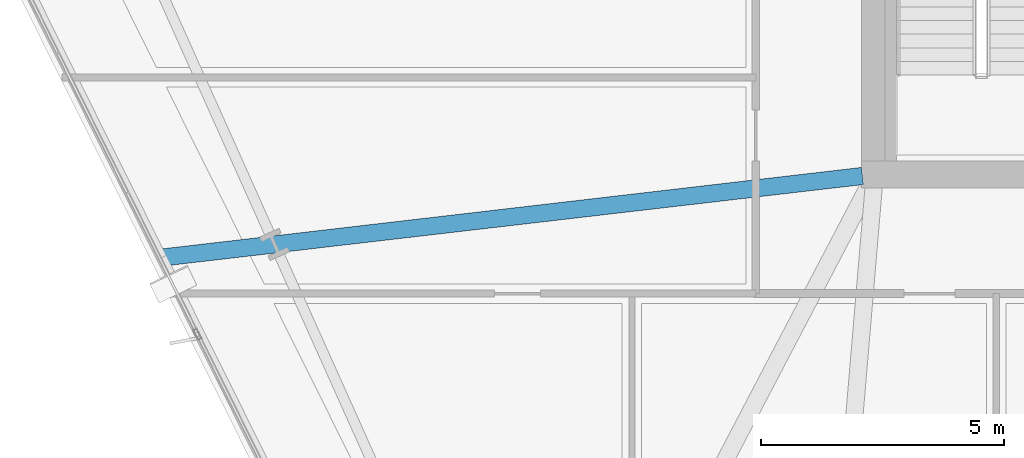
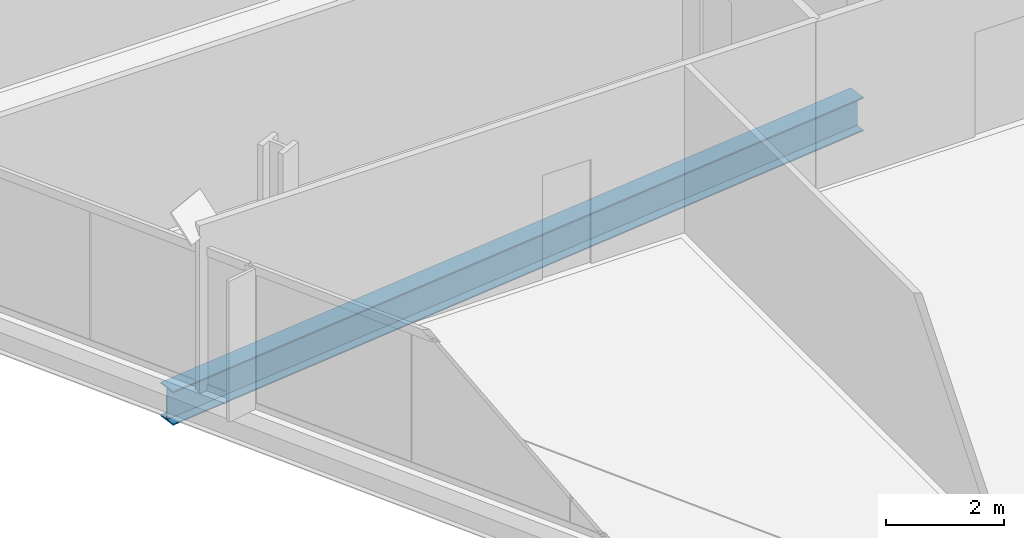
# One storey, part 6 of 35: 1 beam.
"""IFC4 building model written with IfcOpenShell, lengths in metres."""

import ifcopenshell
import ifcopenshell.guid

model = None  # the IFC model being written
_history = None  # IfcOwnerHistory: only IFC2X3 demands one
_inside = {}  # id of a spatial element -> (the spatial element, [elements in it])
_under = {}  # id of a project, library or spatial element -> (it, [spatial elements below it])
_declared = {}  # id of a project -> (the project, [libraries it declares])
_typed = {}  # id of a type object -> (the type object, [elements of that type])
_made_of = {}  # id of a material, layer set ... -> (it, [elements and type objects made of it])


def new_model(schema):
    """Start an empty IFC model of exactly this schema.

    Asked for "IFC4X3", IfcOpenShell would pick the latest addendum, in which some entities
    have other attributes; the version numbers below select the first issue.
    IFC2X3 requires an IfcOwnerHistory on every rooted entity: one is made here for all.
    """
    global model, _history
    if schema == "IFC4X3":
        model = ifcopenshell.file(schema_version=(4, 3, 0, 0))
    else:
        model = ifcopenshell.file(schema=schema)
    _inside.clear()
    _under.clear()
    _declared.clear()
    _typed.clear()
    _made_of.clear()
    _history = None
    if model.schema == "IFC2X3":
        org = make("IfcOrganization", Name="unknown")
        user = make(
            "IfcPersonAndOrganization",
            ThePerson=make("IfcPerson", FamilyName="unknown"),
            TheOrganization=org,
        )
        app = make(
            "IfcApplication",
            ApplicationDeveloper=org,
            Version="unknown",
            ApplicationFullName="unknown",
            ApplicationIdentifier="unknown",
        )
        _history = make(
            "IfcOwnerHistory",
            OwningUser=user,
            OwningApplication=app,
            ChangeAction="ADDED",
            CreationDate=0,
        )
    return model


def make(cls, **values):
    """One entity of the class cls with the attributes given. An attribute that is None is left unset."""
    return model.create_entity(
        cls, **{name: value for name, value in values.items() if value is not None}
    )


def rooted(cls, **values):
    """An entity with a GlobalId (a new one), such as an element, a storey or a relation."""
    return make(cls, GlobalId=ifcopenshell.guid.new(), OwnerHistory=_history, **values)


def si_unit(unit_type, name, prefix=None):
    """IfcSIUnit, for example si_unit("LENGTHUNIT", "METRE", prefix="MILLI")."""
    return make("IfcSIUnit", UnitType=unit_type, Prefix=prefix, Name=name)


def assignment(units):
    """IfcUnitAssignment: the units of a project."""
    return None if units is None else make("IfcUnitAssignment", Units=units)


def point(xyz):
    """IfcCartesianPoint."""
    return None if xyz is None else make("IfcCartesianPoint", Coordinates=xyz)


def direction(xyz):
    """IfcDirection."""
    return None if xyz is None else make("IfcDirection", DirectionRatios=xyz)


def frame(location, z_axis=None, x_axis=None):
    """IfcAxis2Placement3D, a coordinate frame: its origin and axes. An axis left out is left unset."""
    return make(
        "IfcAxis2Placement3D",
        Location=point(location),
        Axis=direction(z_axis),
        RefDirection=direction(x_axis),
    )


def frame_2d(location, x_axis=None):
    """IfcAxis2Placement2D, a coordinate frame in the plane: its origin and x axis."""
    return make(
        "IfcAxis2Placement2D", Location=point(location), RefDirection=direction(x_axis)
    )


def origin():
    """The frame at (0, 0, 0) with its axes left unset."""
    return frame((0.0, 0.0, 0.0))


def origin_2d():
    """The frame at (0, 0) in the plane with its x axis left unset."""
    return frame_2d((0.0, 0.0))


def place(relative_to, where):
    """IfcLocalPlacement: puts the frame where relative to a parent placement (None: the world)."""
    return make(
        "IfcLocalPlacement", PlacementRelTo=relative_to, RelativePlacement=where
    )


def context(
    kind, dimensions, precision=None, world=None, true_north=None, identifier=None
):
    """IfcGeometricRepresentationContext, for example the 3D "Model" context."""
    return make(
        "IfcGeometricRepresentationContext",
        ContextIdentifier=identifier,
        ContextType=kind,
        CoordinateSpaceDimension=dimensions,
        Precision=precision,
        WorldCoordinateSystem=world,
        TrueNorth=true_north,
    )


def subcontext(parent, identifier, kind, view, scale=None):
    """IfcGeometricRepresentationSubContext, for example "Body" below "Model"."""
    return make(
        "IfcGeometricRepresentationSubContext",
        ContextIdentifier=identifier,
        ContextType=kind,
        ParentContext=parent,
        TargetScale=scale,
        TargetView=view,
    )


def project(units=None, contexts=None):
    """IfcProject with its units and contexts."""
    return rooted(
        "IfcProject",
        Name="project",
        RepresentationContexts=contexts,
        UnitsInContext=assignment(units),
    )


def spatial(cls, under=None, at=None, **own):
    """A site, building, storey or space (cls), placed at a placement, below another one or the project."""
    s = rooted(cls, ObjectPlacement=at, **own)
    if under is not None:
        _under.setdefault(under.id(), (under, []))[1].append(s)
    return s


def profile(cls, at=None, kind="AREA", **sizes):
    """A parametric profile (cls). Its sizes go by their IFC names, for example OverallWidth=200.0."""
    return make(cls, ProfileType=kind, Position=at, **sizes)


def i_section(**sizes):
    """IfcIShapeProfileDef."""
    return profile("IfcIShapeProfileDef", **sizes)


def extrude(swept, where, along, depth):
    """IfcExtrudedAreaSolid: the profile swept, set in the frame where, extruded along a direction by depth."""
    return make(
        "IfcExtrudedAreaSolid",
        SweptArea=swept,
        Position=where,
        ExtrudedDirection=direction(along),
        Depth=depth,
    )


def shape(context_of_items, identifier, shape_type, items):
    """IfcShapeRepresentation: the items that make up one representation, for example the "Body"."""
    return make(
        "IfcShapeRepresentation",
        ContextOfItems=context_of_items,
        RepresentationIdentifier=identifier,
        RepresentationType=shape_type,
        Items=items,
    )


def material(Name=None, Category=None):
    """IfcMaterial."""
    return make("IfcMaterial", Name=Name, Category=Category)


def material_profile(
    of_material, cross_section, Name=None, Category=None, Priority=None
):
    """IfcMaterialProfile: a cross section and its material."""
    return make(
        "IfcMaterialProfile",
        Name=Name,
        Material=of_material,
        Profile=cross_section,
        Priority=Priority,
        Category=Category,
    )


def profile_set(profiles, Name=None, composite=None):
    """IfcMaterialProfileSet."""
    return make(
        "IfcMaterialProfileSet",
        Name=Name,
        MaterialProfiles=profiles,
        CompositeProfile=composite,
    )


def made_of(thing, what):
    """Note that an element or type object is made of a material, layer set ...; save() writes the relation."""
    if what is not None:
        _made_of.setdefault(what.id(), (what, []))[1].append(thing)
    return thing


def type_object(cls, material=None, **own):
    """A type object (cls), such as IfcWallType, which elements share."""
    return made_of(rooted(cls, **own), material)


def element(
    cls,
    number,
    at=None,
    inside=None,
    cuts=None,
    type_object=None,
    material=None,
    context=None,
    identifier="Body",
    shape_type=None,
    held_by="IfcProductDefinitionShape",
    body=None,
    shapes=None,
    **own,
):
    """One element of the class cls, such as IfcWall. Its Tag is "e" and its number.

    at: its placement. inside: the storey or other place that contains it. cuts: it is an
    opening in that element (IfcRelVoidsElement). A single representation is given by context,
    identifier, shape_type and body (its items); several are given by shapes. held_by: the class
    of the entity that holds the representations. save() writes the other relations.
    """
    e = rooted(cls, Tag="e%d" % number, ObjectPlacement=at, **own)
    if body is not None:
        shapes = [shape(context, identifier, shape_type, body)]
    if shapes is not None:
        e.Representation = make(held_by, Representations=shapes)
    if inside is not None:
        _inside.setdefault(inside.id(), (inside, []))[1].append(e)
    if cuts is not None:
        rooted(
            "IfcRelVoidsElement", RelatingBuildingElement=cuts, RelatedOpeningElement=e
        )
    if type_object is not None:
        _typed.setdefault(type_object.id(), (type_object, []))[1].append(e)
    return made_of(e, material)


def aggregate(whole, parts):
    """IfcRelAggregates: a whole, such as a stair, and the parts it consists of."""
    return rooted("IfcRelAggregates", RelatingObject=whole, RelatedObjects=parts)


def save(model, path):
    """Write the relations noted so far, then the file.

    IfcRelAggregates (storeys below a building ...), IfcRelContainedInSpatialStructure (elements
    in a storey), IfcRelDefinesByType, IfcRelAssociatesMaterial and IfcRelDeclares: one each for
    every whole, place, type object, material and project.
    """
    for whole, parts in _under.values():
        aggregate(whole, parts)
    for where, things in _inside.values():
        rooted(
            "IfcRelContainedInSpatialStructure",
            RelatedElements=things,
            RelatingStructure=where,
        )
    for kind, things in _typed.values():
        rooted("IfcRelDefinesByType", RelatedObjects=things, RelatingType=kind)
    for what, things in _made_of.values():
        rooted("IfcRelAssociatesMaterial", RelatedObjects=things, RelatingMaterial=what)
    for by, libraries in _declared.values():
        rooted("IfcRelDeclares", RelatingContext=by, RelatedDefinitions=libraries)
    model.write(path)


model = new_model("IFC4")

# Units and contexts
model_context = context("Model", 3, precision=1e-05, world=origin(), true_north=direction((0.0, 1.0)))
body_context = subcontext(model_context, "Body", "Model", "MODEL_VIEW")
ifc_project = project(units=[si_unit("LENGTHUNIT", "METRE"), si_unit("AREAUNIT", "SQUARE_METRE"), si_unit("VOLUMEUNIT", "CUBIC_METRE"), si_unit("PLANEANGLEUNIT", "RADIAN"), si_unit("MASSUNIT", "GRAM", prefix="KILO")], contexts=[model_context])

# Site, building, storey
site_placement = place(None, origin())
site = spatial("IfcSite", under=ifc_project, at=site_placement, CompositionType="ELEMENT")
building_placement = place(site_placement, origin())
building = spatial("IfcBuilding", under=site, at=building_placement, Name="Haldenkirk Collegiate Tower", CompositionType="ELEMENT")
storey_placement = place(building_placement, frame((0.0, 0.0, 116.699951171875)))
storey = spatial("IfcBuildingStorey", under=building, at=storey_placement, Name="L28", CompositionType="ELEMENT", Elevation=116.699951171875)

# Beam
ifc_material = material(Name="Steel ASTM A992 Grade 50", Category="steel")
ifc_material_profile = material_profile(ifc_material, i_section(OverallWidth=0.35498046875, OverallDepth=0.696044921875, WebThickness=0.015380859375, FlangeThickness=0.02490234375, at=origin_2d()), Name="W27X146")
ifc_profile_set = profile_set([ifc_material_profile], Name="Steel ASTM A992 Grade 50")
beam_type = type_object("IfcBeamType", Name="BM-GIRDER-W27X146", PredefinedType="BEAM", material=ifc_profile_set)
beam_placement = place(storey_placement, frame((12.31591796875, 16.2900390625, -0.64794921875), z_axis=(0.993288131771, 0.115666275478, 0.0), x_axis=(-0.115666275478, 0.993288131771, 0.0)))
element("IfcBeam", 1, at=beam_placement, inside=storey, type_object=beam_type, Name="L28 primary floor girder 15", PredefinedType="BEAM", context=body_context, shape_type="SweptSolid", body=[
    extrude(i_section(OverallWidth=0.35498046875, OverallDepth=0.696044921875, WebThickness=0.015380859375, FlangeThickness=0.02490234375, at=origin_2d()), origin(), (0.0, 0.0, 1.0), 14.528076171875),
])

save(model, "model.ifc")
